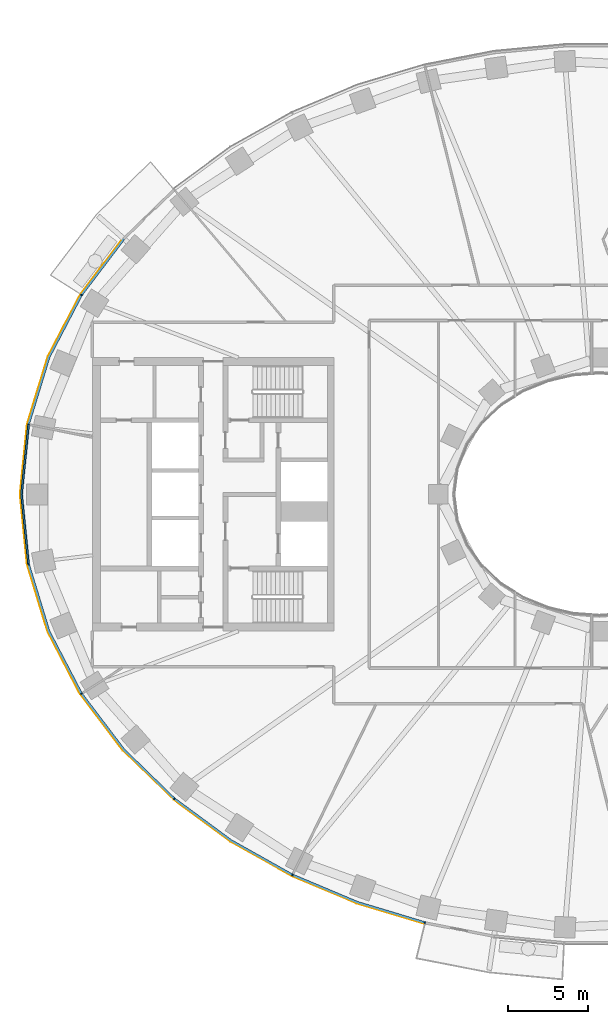
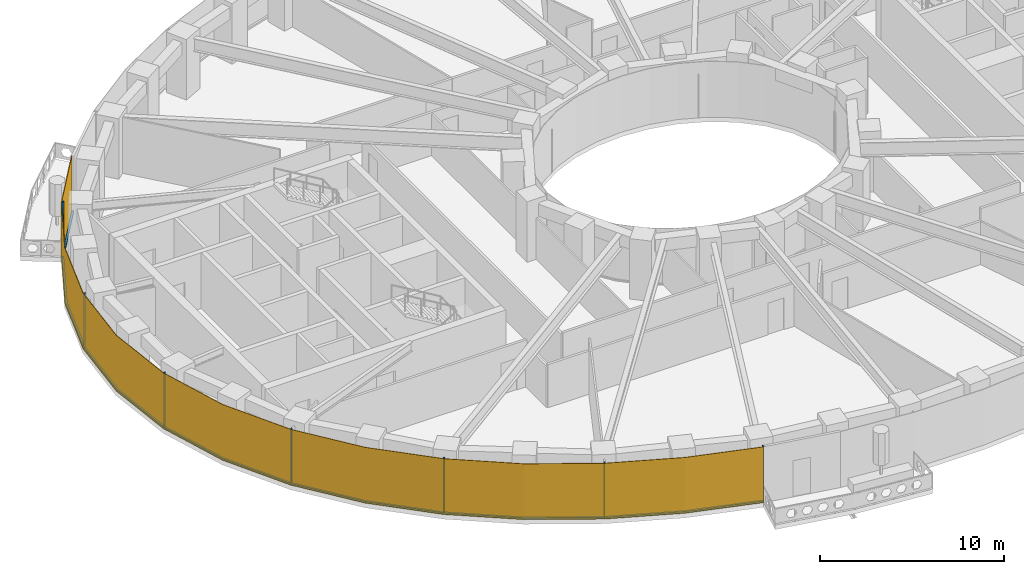
# One storey, part 8 of 16: 14 members, 1 curtain wall.
"""IFC4 building model written with IfcOpenShell, lengths in metres."""

from ifc_helpers import new_model, si_unit, direction, frame, origin, origin_2d, place, context, subcontext, project, spatial, polyline, rectangle, outline, extrude, material, layer, layer_set, material_profile, profile_set, type_object, element, aggregate, save


model = new_model("IFC4")

# Units and contexts
model_context = context("Model", 3, precision=1e-05, world=origin(), true_north=direction((0.0, 1.0)))
body_context = subcontext(model_context, "Body", "Model", "MODEL_VIEW")
ifc_project = project(units=[si_unit("LENGTHUNIT", "METRE"), si_unit("AREAUNIT", "SQUARE_METRE"), si_unit("VOLUMEUNIT", "CUBIC_METRE"), si_unit("PLANEANGLEUNIT", "RADIAN"), si_unit("MASSUNIT", "GRAM", prefix="KILO")], contexts=[model_context])

# Member
ifc_material_1 = material(Name="Aluminium 6063-T6 black anodised", Category="aluminium")
ifc_material_profile = material_profile(ifc_material_1, rectangle(XDim=0.1201171875, YDim=0.06005859375, at=origin_2d()), Name="120x60")
ifc_profile_set = profile_set([ifc_material_profile], Name="Aluminium 6063-T6 black anodised")
member_type_1 = type_object("IfcMemberType", Name="ENV-MULLION-A-120", PredefinedType="MULLION", material=ifc_profile_set)
site_placement = place(None, origin())
building_placement = place(site_placement, origin())
storey_placement = place(building_placement, frame((0.0, 0.0, 100.0)))
member_1_placement = place(storey_placement, frame((-32.177490234375, 12.385498046875, 0.0), z_axis=(0.0, 0.0, 1.0), x_axis=(0.844829880882, -0.53503501976, 0.0)))
member_1 = element("IfcMember", 1, at=member_1_placement, type_object=member_type_1, Name="Mullion A radial 21", PredefinedType="MULLION", context=body_context, shape_type="SweptSolid", body=[
    extrude(rectangle(XDim=0.1201171875, YDim=0.06005859375, at=origin_2d()), origin(), (0.0, 0.0, 1.0), 3.699951171875),
])

member_2_placement = place(storey_placement, frame((-35.470947265625, 4.340576171875, 0.0), z_axis=(0.0, 0.0, 1.0), x_axis=(0.980379083141, -0.19712141776, 0.0)))
member_2 = element("IfcMember", 2, at=member_2_placement, type_object=member_type_1, Name="Mullion A radial 23", PredefinedType="MULLION", context=body_context, shape_type="SweptSolid", body=[
    extrude(rectangle(XDim=0.1201171875, YDim=0.06005859375, at=origin_2d()), origin(), (0.0, 0.0, 1.0), 3.699951171875),
])

member_3_placement = place(storey_placement, frame((-35.470947265625, -4.340576171875, 0.0), z_axis=(0.0, 0.0, 1.0), x_axis=(0.980379083141, 0.19712141776, 0.0)))
member_3 = element("IfcMember", 3, at=member_3_placement, type_object=member_type_1, Name="Mullion A radial 25", PredefinedType="MULLION", context=body_context, shape_type="SweptSolid", body=[
    extrude(rectangle(XDim=0.1201171875, YDim=0.06005859375, at=origin_2d()), origin(), (0.0, 0.0, 1.0), 3.699951171875),
])

member_4_placement = place(storey_placement, frame((-32.177490234375, -12.385498046875, 0.0), z_axis=(0.0, 0.0, 1.0), x_axis=(0.844829880882, 0.53503501976, 0.0)))
member_4 = element("IfcMember", 4, at=member_4_placement, type_object=member_type_1, Name="Mullion A radial 27", PredefinedType="MULLION", context=body_context, shape_type="SweptSolid", body=[
    extrude(rectangle(XDim=0.1201171875, YDim=0.06005859375, at=origin_2d()), origin(), (0.0, 0.0, 1.0), 3.699951171875),
])

member_5_placement = place(storey_placement, frame((-26.403564453125, -18.9130859375, 0.0), z_axis=(0.0, 0.0, 1.0), x_axis=(0.646451313783, 0.762955240435, 0.0)))
member_5 = element("IfcMember", 5, at=member_5_placement, type_object=member_type_1, Name="Mullion A radial 29", PredefinedType="MULLION", context=body_context, shape_type="SweptSolid", body=[
    extrude(rectangle(XDim=0.1201171875, YDim=0.06005859375, at=origin_2d()), origin(), (0.0, 0.0, 1.0), 3.699951171875),
])

member_6_placement = place(storey_placement, frame((-19.06787109375, -23.6474609375, 0.0), z_axis=(0.0, 0.0, 1.0), x_axis=(0.439237769837, 0.898370848563, 0.0)))
member_6 = element("IfcMember", 6, at=member_6_placement, type_object=member_type_1, Name="Mullion A radial 31", PredefinedType="MULLION", context=body_context, shape_type="SweptSolid", body=[
    extrude(rectangle(XDim=0.1201171875, YDim=0.06005859375, at=origin_2d()), origin(), (0.0, 0.0, 1.0), 3.699951171875),
])

member_7_placement = place(storey_placement, frame((-10.84326171875, -26.60498046875, 0.0), z_axis=(0.0, 0.0, 1.0), x_axis=(0.239799081534, 0.970822538106, 0.0)))
member_7 = element("IfcMember", 7, at=member_7_placement, type_object=member_type_1, Name="Mullion A radial 33", PredefinedType="MULLION", context=body_context, shape_type="SweptSolid", body=[
    extrude(rectangle(XDim=0.1201171875, YDim=0.06005859375, at=origin_2d()), origin(), (0.0, 0.0, 1.0), 3.699951171875),
])

ifc_material_2 = material(Name="Aluminium 6063-T6 black anodised", Category="aluminium")
member_type_2 = type_object("IfcMemberType", Name="ENV-TRANSOM-A", PredefinedType="USERDEFINED", material=ifc_material_2)
member_8_placement = place(storey_placement, origin())
member_8 = element("IfcMember", 8, at=member_8_placement, type_object=member_type_2, Name="Transom A radial 20-21", ObjectType="TRANSOM", PredefinedType="USERDEFINED", context=body_context, shape_type="SweptSolid", body=[
    extrude(outline(polyline([(-29.595703125, 15.890869140625), (-32.211181640625, 12.43994140625), (-32.109375, 12.37548828125), (-29.505615234375, 15.811279296875), (-29.595703125, 15.890869140625)])), origin(), (0.0, 0.0, 1.0), 0.10009765625),
])

member_9_placement = place(storey_placement, origin())
member_9 = element("IfcMember", 9, at=member_9_placement, type_object=member_type_2, Name="Transom A radial 21-23", ObjectType="TRANSOM", PredefinedType="USERDEFINED", context=body_context, shape_type="SweptSolid", body=[
    extrude(outline(polyline([(-32.240966796875, 12.392578125), (-34.251220703125, 8.53662109375), (-35.521484375, 4.379150390625), (-35.4033203125, 4.355224609375), (-34.139892578125, 8.490966796875), (-32.139404296875, 12.328369140625), (-32.240966796875, 12.392578125)])), origin(), (0.0, 0.0, 1.0), 0.10009765625),
])

member_10_placement = place(storey_placement, origin())
member_10 = element("IfcMember", 10, at=member_10_placement, type_object=member_type_2, Name="Transom A radial 23-25", ObjectType="TRANSOM", PredefinedType="USERDEFINED", context=body_context, shape_type="SweptSolid", body=[
    extrude(outline(polyline([(-35.532470703125, 4.324462890625), (-35.9677734375, 0.0), (-35.532470703125, -4.324462890625), (-35.414306640625, -4.30078125), (-35.84716796875, 0.0), (-35.414306640625, 4.30078125), (-35.532470703125, 4.324462890625)])), origin(), (0.0, 0.0, 1.0), 0.10009765625),
])

member_11_placement = place(storey_placement, origin())
member_11 = element("IfcMember", 11, at=member_11_placement, type_object=member_type_2, Name="Transom A radial 25-27", ObjectType="TRANSOM", PredefinedType="USERDEFINED", context=body_context, shape_type="SweptSolid", body=[
    extrude(outline(polyline([(-35.521484375, -4.379150390625), (-34.251220703125, -8.53662109375), (-32.240966796875, -12.392578125), (-32.139404296875, -12.328369140625), (-34.139892578125, -8.490966796875), (-35.4033203125, -4.355224609375), (-35.521484375, -4.379150390625)])), origin(), (0.0, 0.0, 1.0), 0.10009765625),
])

member_12_placement = place(storey_placement, origin())
member_12 = element("IfcMember", 12, at=member_12_placement, type_object=member_type_2, Name="Transom A radial 27-29", ObjectType="TRANSOM", PredefinedType="USERDEFINED", context=body_context, shape_type="SweptSolid", body=[
    extrude(outline(polyline([(-32.211181640625, -12.43994140625), (-29.58349609375, -15.906982421875), (-26.46240234375, -18.939208984375), (-26.384765625, -18.847412109375), (-29.493408203125, -15.8271484375), (-32.109375, -12.37548828125), (-32.211181640625, -12.43994140625)])), origin(), (0.0, 0.0, 1.0), 0.10009765625),
])

member_13_placement = place(storey_placement, origin())
member_13 = element("IfcMember", 13, at=member_13_placement, type_object=member_type_2, Name="Transom A radial 29-31", ObjectType="TRANSOM", PredefinedType="USERDEFINED", context=body_context, shape_type="SweptSolid", body=[
    extrude(outline(polyline([(-26.419921875, -18.975341796875), (-22.9150390625, -21.556884765625), (-19.11865234375, -23.687744140625), (-19.06591796875, -23.57958984375), (-22.85009765625, -21.455810546875), (-26.342041015625, -18.883544921875), (-26.419921875, -18.975341796875)])), origin(), (0.0, 0.0, 1.0), 0.10009765625),
])

member_14_placement = place(storey_placement, origin())
member_14 = element("IfcMember", 14, at=member_14_placement, type_object=member_type_2, Name="Transom A radial 31-33", ObjectType="TRANSOM", PredefinedType="USERDEFINED", context=body_context, shape_type="SweptSolid", body=[
    extrude(outline(polyline([(-19.068359375, -23.71240234375), (-15.054443359375, -25.400146484375), (-10.884521484375, -26.655029296875), (-10.855712890625, -26.53857421875), (-15.013916015625, -25.287109375), (-19.015380859375, -23.604248046875), (-19.068359375, -23.71240234375)])), origin(), (0.0, 0.0, 1.0), 0.10009765625),
])

# Site, building, storey
site = spatial("IfcSite", under=ifc_project, at=site_placement, CompositionType="ELEMENT")
building = spatial("IfcBuilding", under=site, at=building_placement, Name="Noorbagh Ring Tower", CompositionType="ELEMENT")
storey = spatial("IfcBuildingStorey", under=building, at=storey_placement, Name="L22", CompositionType="ELEMENT", Elevation=100.0)

# Curtain wall
ifc_material_3 = material(Name="Glass dark tinted laminated", Category="glass")
ifc_layer = layer(ifc_material_3, 0.031982421875)
ifc_layer_set = layer_set([ifc_layer], Name="Glass dark tinted laminated")
curtain_wall_type = type_object("IfcCurtainWallType", Name="ENV-CW-A", PredefinedType="NOTDEFINED", material=ifc_layer_set)
curtain_wall_placement = place(storey_placement, origin())
curtain_wall = element("IfcCurtainWall", 15, at=curtain_wall_placement, inside=storey, type_object=curtain_wall_type, Name="Curtain wall A R20", PredefinedType="NOTDEFINED", context=body_context, shape_type="SweptSolid", body=[
    extrude(outline(polyline([(-29.61962890625, 15.912109375), (-32.255126953125, 12.434814453125), (-34.281005859375, 8.548828125), (-35.561279296875, 4.358642578125), (-36.0, 0.0), (-35.561279296875, -4.358642578125), (-34.281005859375, -8.548828125), (-32.255126953125, -12.434814453125), (-29.607666015625, -15.927978515625), (-26.463134765625, -18.9833984375), (-22.9326171875, -21.583740234375), (-19.108154296875, -23.730224609375), (-15.065185546875, -25.430419921875), (-10.884521484375, -26.6884765625), (-10.876708984375, -26.657470703125), (-15.054443359375, -25.400146484375), (-19.093994140625, -23.701416015625), (-22.9150390625, -21.556884765625), (-26.4423828125, -18.958740234375), (-29.58349609375, -15.906982421875), (-32.22802734375, -12.41748046875), (-34.251220703125, -8.53662109375), (-35.529541015625, -4.352294921875), (-35.9677734375, 0.0), (-35.529541015625, 4.352294921875), (-34.251220703125, 8.53662109375), (-32.22802734375, 12.41748046875), (-29.595703125, 15.890869140625), (-29.61962890625, 15.912109375)])), origin(), (0.0, 0.0, 1.0), 3.699951171875),
])

aggregate(curtain_wall, [member_1, member_2, member_3, member_4, member_5, member_6, member_7, member_8, member_9, member_10, member_11, member_12, member_13, member_14])

save(model, "model.ifc")
